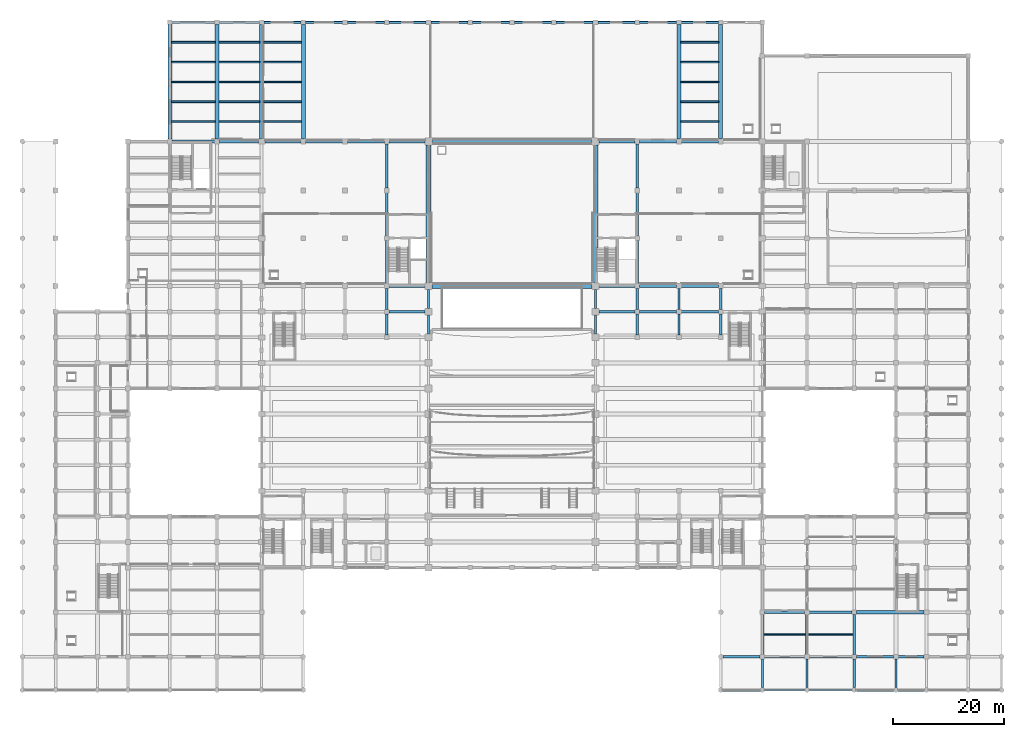
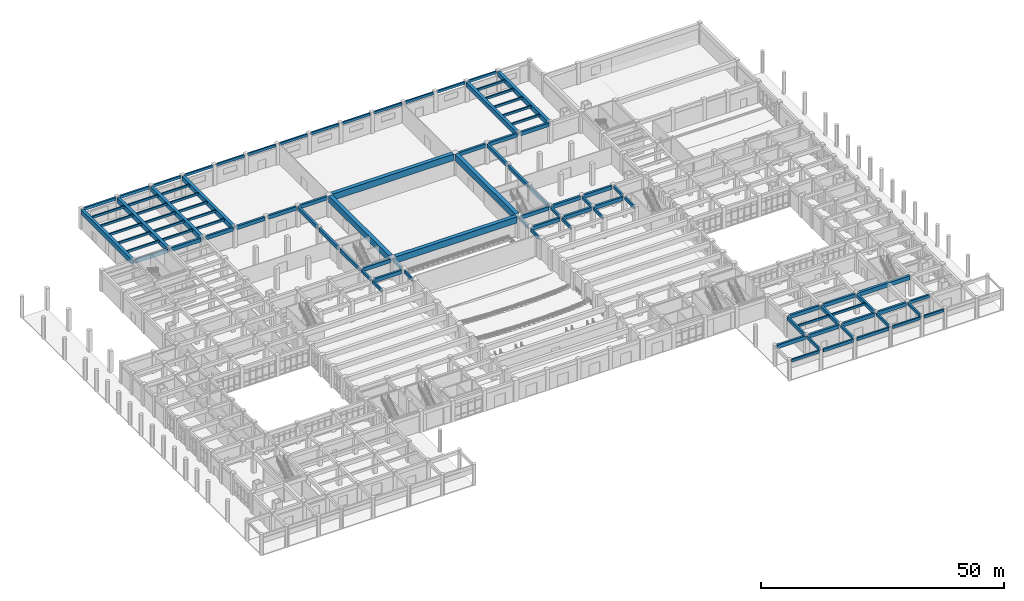
# One storey, part 30 of 84: 100 beams.
"""IFC4 building model written with IfcOpenShell, lengths in metres."""

from ifc_helpers import new_model, si_unit, direction, frame, origin, origin_2d, place, context, subcontext, project, spatial, rectangle, extrude, material, material_profile, profile_set, type_object, element, save


model = new_model("IFC4")

# Units and contexts
model_context = context("Model", 3, precision=1e-05, world=origin(), true_north=direction((0.0, 1.0)))
body_context = subcontext(model_context, "Body", "Model", "MODEL_VIEW")
ifc_project = project(units=[si_unit("LENGTHUNIT", "METRE"), si_unit("AREAUNIT", "SQUARE_METRE"), si_unit("VOLUMEUNIT", "CUBIC_METRE"), si_unit("PLANEANGLEUNIT", "RADIAN"), si_unit("MASSUNIT", "GRAM", prefix="KILO")], contexts=[model_context])

# Site, building, storey
site_placement = place(None, origin())
site = spatial("IfcSite", under=ifc_project, at=site_placement, CompositionType="ELEMENT")
building_placement = place(site_placement, origin())
building = spatial("IfcBuilding", under=site, at=building_placement, Name="Muzn Square Opera House", CompositionType="ELEMENT")
storey_placement = place(building_placement, origin())
storey = spatial("IfcBuildingStorey", under=building, at=storey_placement, Name="L00", CompositionType="ELEMENT", Elevation=0.0)

# Beams
ifc_material_1 = material(Name="Concrete C40/50", Category="concrete")
ifc_material_profile_1 = material_profile(ifc_material_1, rectangle(XDim=0.300048828125, YDim=0.550048828125, at=origin_2d()), Name="RCJ 300x550", Category="concrete")
ifc_profile_set_1 = profile_set([ifc_material_profile_1], Name="Concrete C40/50")
beam_type_1 = type_object("IfcBeamType", Name="Floor Joist 300x550", PredefinedType="JOIST", material=ifc_profile_set_1)
for number, where, z_axis, x_axis, name in (
    (1, (26.842041015625, 102.166748046875, 4.844970703125), (1.0, 0.0, 0.0), (0.0, 1.0, 0.0), "Floor Joist BM-L00-BM-J550-268_1022_347_1022-1197"),
    (2, (26.842041015625, 105.7333984375, 4.844970703125), (1.0, 0.0, 0.0), (0.0, 1.0, 0.0), "Floor Joist BM-L00-BM-J550-268_1057_347_1057-1198"),
    (3, (26.842041015625, 109.300048828125, 4.844970703125), (1.0, 0.0, 0.0), (0.0, 1.0, 0.0), "Floor Joist BM-L00-BM-J550-268_1093_347_1093-1199"),
    (4, (26.842041015625, 112.86669921875, 4.844970703125), (1.0, 0.0, 0.0), (0.0, 1.0, 0.0), "Floor Joist BM-L00-BM-J550-268_1129_347_1129-1200"),
    (5, (26.842041015625, 116.433349609375, 4.844970703125), (1.0, 0.0, 0.0), (0.0, 1.0, 0.0), "Floor Joist BM-L00-BM-J550-268_1164_347_1164-1201"),
):
    element("IfcBeam", number, at=place(storey_placement, frame(where, z_axis=z_axis, x_axis=x_axis)), inside=storey, type_object=beam_type_1, Name=name, PredefinedType="JOIST", context=body_context, shape_type="SweptSolid", body=[
        extrude(rectangle(XDim=0.300048828125, YDim=0.550048828125, at=origin_2d()), origin(), (0.0, 0.0, 1.0), 7.81591796875),
    ])
for number, where, z_axis, x_axis, name in (
    (6, (35.342041015625, 102.166748046875, 4.844970703125), (1.0, 0.0, 0.0), (0.0, 1.0, 0.0), "Floor Joist BM-L00-BM-J550-353_1022_427_1022-1210"),
    (7, (35.342041015625, 105.7333984375, 4.844970703125), (1.0, 0.0, 0.0), (0.0, 1.0, 0.0), "Floor Joist BM-L00-BM-J550-353_1057_427_1057-1211"),
    (8, (35.342041015625, 109.300048828125, 4.844970703125), (1.0, 0.0, 0.0), (0.0, 1.0, 0.0), "Floor Joist BM-L00-BM-J550-353_1093_427_1093-1212"),
    (9, (35.342041015625, 112.86669921875, 4.844970703125), (1.0, 0.0, 0.0), (0.0, 1.0, 0.0), "Floor Joist BM-L00-BM-J550-353_1129_427_1129-1213"),
    (10, (35.342041015625, 116.433349609375, 4.844970703125), (1.0, 0.0, 0.0), (0.0, 1.0, 0.0), "Floor Joist BM-L00-BM-J550-353_1164_427_1164-1214"),
):
    element("IfcBeam", number, at=place(storey_placement, frame(where, z_axis=z_axis, x_axis=x_axis)), inside=storey, type_object=beam_type_1, Name=name, PredefinedType="JOIST", context=body_context, shape_type="SweptSolid", body=[
        extrude(rectangle(XDim=0.300048828125, YDim=0.550048828125, at=origin_2d()), origin(), (0.0, 0.0, 1.0), 7.31591796875),
    ])
for number, where, z_axis, x_axis, name in (
    (11, (43.342041015625, 102.166748046875, 4.844970703125), (1.0, 0.0, 0.0), (0.0, 1.0, 0.0), "Floor Joist BM-L00-BM-J550-433_1022_502_1022-1215"),
    (12, (43.342041015625, 105.7333984375, 4.844970703125), (1.0, 0.0, 0.0), (0.0, 1.0, 0.0), "Floor Joist BM-L00-BM-J550-433_1057_502_1057-1216"),
    (13, (43.342041015625, 109.300048828125, 4.844970703125), (1.0, 0.0, 0.0), (0.0, 1.0, 0.0), "Floor Joist BM-L00-BM-J550-433_1093_502_1093-1217"),
    (14, (43.342041015625, 112.86669921875, 4.844970703125), (1.0, 0.0, 0.0), (0.0, 1.0, 0.0), "Floor Joist BM-L00-BM-J550-433_1129_502_1129-1218"),
    (15, (43.342041015625, 116.433349609375, 4.844970703125), (1.0, 0.0, 0.0), (0.0, 1.0, 0.0), "Floor Joist BM-L00-BM-J550-433_1164_502_1164-1219"),
    (16, (118.342041015625, 102.166748046875, 4.844970703125), (1.0, 0.0, 0.0), (0.0, 1.0, 0.0), "Floor Joist BM-L00-BM-J550-1183_1022_1252_1022-1220"),
    (17, (118.342041015625, 105.7333984375, 4.844970703125), (1.0, 0.0, 0.0), (0.0, 1.0, 0.0), "Floor Joist BM-L00-BM-J550-1183_1057_1252_1057-1221"),
    (18, (118.342041015625, 109.300048828125, 4.844970703125), (1.0, 0.0, 0.0), (0.0, 1.0, 0.0), "Floor Joist BM-L00-BM-J550-1183_1093_1252_1093-1222"),
    (19, (118.342041015625, 112.86669921875, 4.844970703125), (1.0, 0.0, 0.0), (0.0, 1.0, 0.0), "Floor Joist BM-L00-BM-J550-1183_1129_1252_1129-1223"),
    (20, (118.342041015625, 116.433349609375, 4.844970703125), (1.0, 0.0, 0.0), (0.0, 1.0, 0.0), "Floor Joist BM-L00-BM-J550-1183_1164_1252_1164-1224"),
):
    element("IfcBeam", number, at=place(storey_placement, frame(where, z_axis=z_axis, x_axis=x_axis)), inside=storey, type_object=beam_type_1, Name=name, PredefinedType="JOIST", context=body_context, shape_type="SweptSolid", body=[
        extrude(rectangle(XDim=0.300048828125, YDim=0.550048828125, at=origin_2d()), origin(), (0.0, 0.0, 1.0), 6.81591796875),
    ])
beam_1_placement = place(storey_placement, frame((133.241943359375, 10.0, 4.844970703125), z_axis=(1.0, 0.0, 0.0), x_axis=(0.0, 1.0, 0.0)))
element("IfcBeam", 21, at=beam_1_placement, inside=storey, type_object=beam_type_1, Name="Floor Joist BM-L00-BM-J550-1332_100_1408_100-1225", PredefinedType="JOIST", context=body_context, shape_type="SweptSolid", body=[
    extrude(rectangle(XDim=0.300048828125, YDim=0.550048828125, at=origin_2d()), origin(), (0.0, 0.0, 1.0), 7.51611328125),
])
beam_2_placement = place(storey_placement, frame((141.241943359375, 10.0, 4.844970703125), z_axis=(1.0, 0.0, 0.0), x_axis=(0.0, 1.0, 0.0)))
element("IfcBeam", 22, at=beam_2_placement, inside=storey, type_object=beam_type_1, Name="Floor Joist BM-L00-BM-J550-1412_100_1493_100-1231", PredefinedType="JOIST", context=body_context, shape_type="SweptSolid", body=[
    extrude(rectangle(XDim=0.300048828125, YDim=0.550048828125, at=origin_2d()), origin(), (0.0, 0.0, 1.0), 8.01611328125),
])
ifc_material_profile_2 = material_profile(ifc_material_1, rectangle(XDim=0.39990234375, YDim=0.699951171875, at=origin_2d()), Name="RCB 400x700", Category="concrete")
ifc_profile_set_2 = profile_set([ifc_material_profile_2], Name="Concrete C40/50")
beam_type_2 = type_object("IfcBeamType", Name="Primary Girder 400x700", PredefinedType="BEAM", material=ifc_profile_set_2)
beam_3_placement = place(storey_placement, frame((157.4169921875, 6.0, 4.77001953125), z_axis=(1.0, 0.0, 0.0), x_axis=(0.0, 1.0, 0.0)))
element("IfcBeam", 23, at=beam_3_placement, inside=storey, type_object=beam_type_2, Name="Primary Girder BM-L00-BM-PG700-1574_60_1621_60-745", PredefinedType="BEAM", context=body_context, shape_type="SweptSolid", body=[
    extrude(rectangle(XDim=0.39990234375, YDim=0.699951171875, at=origin_2d()), origin(), (0.0, 0.0, 1.0), 4.666015625),
])
for number, where, z_axis, x_axis, name in (
    (24, (65.5, 63.81689453125, 4.77001953125), (0.0, 1.0, 0.0), (-1.0, 0.0, 0.0), "Primary Girder BM-L00-BM-PG700-655_638_655_676-1053"),
    (25, (65.5, 68.4169921875, 4.77001953125), (0.0, 1.0, 0.0), (-1.0, 0.0, 0.0), "Primary Girder BM-L00-BM-PG700-655_684_655_722-1054"),
):
    element("IfcBeam", number, at=place(storey_placement, frame(where, z_axis=z_axis, x_axis=x_axis)), inside=storey, type_object=beam_type_2, Name=name, PredefinedType="BEAM", context=body_context, shape_type="SweptSolid", body=[
        extrude(rectangle(XDim=0.39990234375, YDim=0.699951171875, at=origin_2d()), origin(), (0.0, 0.0, 1.0), 3.76611328125),
    ])
for number, where, z_axis, x_axis, name in (
    (26, (73.0, 63.991943359375, 4.77001953125), (0.0, 1.0, 0.0), (-1.0, 0.0, 0.0), "Primary Girder BM-L00-BM-PG700-730_640_730_674-1067"),
    (27, (73.0, 68.592041015625, 4.77001953125), (0.0, 1.0, 0.0), (-1.0, 0.0, 0.0), "Primary Girder BM-L00-BM-PG700-730_686_730_720-1068"),
    (28, (103.0, 63.991943359375, 4.77001953125), (0.0, 1.0, 0.0), (-1.0, 0.0, 0.0), "Primary Girder BM-L00-BM-PG700-1030_640_1030_674-1078"),
    (29, (103.0, 68.592041015625, 4.77001953125), (0.0, 1.0, 0.0), (-1.0, 0.0, 0.0), "Primary Girder BM-L00-BM-PG700-1030_686_1030_720-1079"),
):
    element("IfcBeam", number, at=place(storey_placement, frame(where, z_axis=z_axis, x_axis=x_axis)), inside=storey, type_object=beam_type_2, Name=name, PredefinedType="BEAM", context=body_context, shape_type="SweptSolid", body=[
        extrude(rectangle(XDim=0.39990234375, YDim=0.699951171875, at=origin_2d()), origin(), (0.0, 0.0, 1.0), 3.416015625),
    ])
for number, where, z_axis, x_axis, name in (
    (30, (110.5, 63.81689453125, 4.77001953125), (0.0, 1.0, 0.0), (-1.0, 0.0, 0.0), "Primary Girder BM-L00-BM-PG700-1105_638_1105_676-1083"),
    (31, (110.5, 68.4169921875, 4.77001953125), (0.0, 1.0, 0.0), (-1.0, 0.0, 0.0), "Primary Girder BM-L00-BM-PG700-1105_684_1105_722-1084"),
    (32, (118.0, 63.81689453125, 4.77001953125), (0.0, 1.0, 0.0), (-1.0, 0.0, 0.0), "Primary Girder BM-L00-BM-PG700-1180_638_1180_676-1091"),
    (33, (118.0, 68.4169921875, 4.77001953125), (0.0, 1.0, 0.0), (-1.0, 0.0, 0.0), "Primary Girder BM-L00-BM-PG700-1180_684_1180_722-1092"),
    (34, (125.5, 63.81689453125, 4.77001953125), (0.0, 1.0, 0.0), (-1.0, 0.0, 0.0), "Primary Girder BM-L00-BM-PG700-1255_638_1255_676-1098"),
    (35, (125.5, 68.4169921875, 4.77001953125), (0.0, 1.0, 0.0), (-1.0, 0.0, 0.0), "Primary Girder BM-L00-BM-PG700-1255_684_1255_722-1099"),
):
    element("IfcBeam", number, at=place(storey_placement, frame(where, z_axis=z_axis, x_axis=x_axis)), inside=storey, type_object=beam_type_2, Name=name, PredefinedType="BEAM", context=body_context, shape_type="SweptSolid", body=[
        extrude(rectangle(XDim=0.39990234375, YDim=0.699951171875, at=origin_2d()), origin(), (0.0, 0.0, 1.0), 3.76611328125),
    ])
for number, where, z_axis, x_axis, name in (
    (36, (133.0, 0.4169921875, 4.7900390625), (0.0, 1.0, 0.0), (-1.0, 0.0, 0.0), "Primary Girder BM-L00-BM-PG700-1330_4_1330_56-1101"),
    (37, (141.0, 0.4169921875, 4.7900390625), (0.0, 1.0, 0.0), (-1.0, 0.0, 0.0), "Primary Girder BM-L00-BM-PG700-1410_4_1410_56-1118"),
    (38, (149.5, 0.4169921875, 4.7900390625), (0.0, 1.0, 0.0), (-1.0, 0.0, 0.0), "Primary Girder BM-L00-BM-PG700-1495_4_1495_56-1130"),
    (39, (157.0, 0.4169921875, 4.7900390625), (0.0, 1.0, 0.0), (-1.0, 0.0, 0.0), "Primary Girder BM-L00-BM-PG700-1570_4_1570_56-1139"),
):
    element("IfcBeam", number, at=place(storey_placement, frame(where, z_axis=z_axis, x_axis=x_axis)), inside=storey, type_object=beam_type_2, Name=name, PredefinedType="BEAM", context=body_context, shape_type="SweptSolid", body=[
        extrude(rectangle(XDim=0.39990234375, YDim=0.699951171875, at=origin_2d()), origin(), (0.0, 0.0, 1.0), 5.166015625),
    ])
ifc_material_profile_3 = material_profile(ifc_material_1, rectangle(XDim=0.5, YDim=0.89990234375, at=origin_2d()), Name="RCB 500x900", Category="concrete")
ifc_profile_set_3 = profile_set([ifc_material_profile_3], Name="Concrete C40/50")
beam_type_3 = type_object("IfcBeamType", Name="Primary Girder 500x900", PredefinedType="BEAM", material=ifc_profile_set_3)
beam_4_placement = place(storey_placement, frame((125.9169921875, 6.0, 4.669921875), z_axis=(1.0, 0.0, 0.0), x_axis=(0.0, 1.0, 0.0)))
element("IfcBeam", 40, at=beam_4_placement, inside=storey, type_object=beam_type_3, Name="Primary Girder BM-L00-BM-PG900-1259_60_1326_60-741", PredefinedType="BEAM", context=body_context, shape_type="SweptSolid", body=[
    extrude(rectangle(XDim=0.5, YDim=0.89990234375, at=origin_2d()), origin(), (0.0, 0.0, 1.0), 6.666015625),
])
beam_5_placement = place(storey_placement, frame((133.4169921875, 6.0, 4.669921875), z_axis=(1.0, 0.0, 0.0), x_axis=(0.0, 1.0, 0.0)))
element("IfcBeam", 41, at=beam_5_placement, inside=storey, type_object=beam_type_3, Name="Primary Girder BM-L00-BM-PG900-1334_60_1406_60-742", PredefinedType="BEAM", context=body_context, shape_type="SweptSolid", body=[
    extrude(rectangle(XDim=0.5, YDim=0.89990234375, at=origin_2d()), origin(), (0.0, 0.0, 1.0), 7.166015625),
])
beam_6_placement = place(storey_placement, frame((141.4169921875, 6.0, 4.669921875), z_axis=(1.0, 0.0, 0.0), x_axis=(0.0, 1.0, 0.0)))
element("IfcBeam", 42, at=beam_6_placement, inside=storey, type_object=beam_type_3, Name="Primary Girder BM-L00-BM-PG900-1414_60_1491_60-743", PredefinedType="BEAM", context=body_context, shape_type="SweptSolid", body=[
    extrude(rectangle(XDim=0.5, YDim=0.89990234375, at=origin_2d()), origin(), (0.0, 0.0, 1.0), 7.666015625),
])
beam_7_placement = place(storey_placement, frame((149.9169921875, 6.0, 4.669921875), z_axis=(1.0, 0.0, 0.0), x_axis=(0.0, 1.0, 0.0)))
element("IfcBeam", 43, at=beam_7_placement, inside=storey, type_object=beam_type_3, Name="Primary Girder BM-L00-BM-PG900-1499_60_1566_60-744", PredefinedType="BEAM", context=body_context, shape_type="SweptSolid", body=[
    extrude(rectangle(XDim=0.5, YDim=0.89990234375, at=origin_2d()), origin(), (0.0, 0.0, 1.0), 6.666015625),
])
beam_8_placement = place(storey_placement, frame((133.4169921875, 14.0, 4.669921875), z_axis=(1.0, 0.0, 0.0), x_axis=(0.0, 1.0, 0.0)))
element("IfcBeam", 44, at=beam_8_placement, inside=storey, type_object=beam_type_3, Name="Primary Girder BM-L00-BM-PG900-1334_140_1406_140-752", PredefinedType="BEAM", context=body_context, shape_type="SweptSolid", body=[
    extrude(rectangle(XDim=0.5, YDim=0.89990234375, at=origin_2d()), origin(), (0.0, 0.0, 1.0), 7.166015625),
])
beam_9_placement = place(storey_placement, frame((141.4169921875, 14.0, 4.669921875), z_axis=(1.0, 0.0, 0.0), x_axis=(0.0, 1.0, 0.0)))
element("IfcBeam", 45, at=beam_9_placement, inside=storey, type_object=beam_type_3, Name="Primary Girder BM-L00-BM-PG900-1414_140_1491_140-753", PredefinedType="BEAM", context=body_context, shape_type="SweptSolid", body=[
    extrude(rectangle(XDim=0.5, YDim=0.89990234375, at=origin_2d()), origin(), (0.0, 0.0, 1.0), 7.666015625),
])
for number, where, z_axis, x_axis, name in (
    (46, (65.9169921875, 68.0, 4.669921875), (1.0, 0.0, 0.0), (0.0, 1.0, 0.0), "Primary Girder BM-L00-BM-PG900-659_680_724_680-887"),
    (47, (103.592041015625, 68.0, 4.669921875), (1.0, 0.0, 0.0), (0.0, 1.0, 0.0), "Primary Girder BM-L00-BM-PG900-1036_680_1101_680-888"),
):
    element("IfcBeam", number, at=place(storey_placement, frame(where, z_axis=z_axis, x_axis=x_axis)), inside=storey, type_object=beam_type_3, Name=name, PredefinedType="BEAM", context=body_context, shape_type="SweptSolid", body=[
        extrude(rectangle(XDim=0.5, YDim=0.89990234375, at=origin_2d()), origin(), (0.0, 0.0, 1.0), 6.490966796875),
    ])
for number, where, z_axis, x_axis, name in (
    (48, (110.9169921875, 68.0, 4.669921875), (1.0, 0.0, 0.0), (0.0, 1.0, 0.0), "Primary Girder BM-L00-BM-PG900-1109_680_1176_680-889"),
    (49, (118.4169921875, 68.0, 4.669921875), (1.0, 0.0, 0.0), (0.0, 1.0, 0.0), "Primary Girder BM-L00-BM-PG900-1184_680_1251_680-890"),
):
    element("IfcBeam", number, at=place(storey_placement, frame(where, z_axis=z_axis, x_axis=x_axis)), inside=storey, type_object=beam_type_3, Name=name, PredefinedType="BEAM", context=body_context, shape_type="SweptSolid", body=[
        extrude(rectangle(XDim=0.5, YDim=0.89990234375, at=origin_2d()), origin(), (0.0, 0.0, 1.0), 6.666015625),
    ])
for number, where, z_axis, x_axis, name in (
    (50, (65.9169921875, 72.60009765625, 4.669921875), (1.0, 0.0, 0.0), (0.0, 1.0, 0.0), "Primary Girder BM-L00-BM-PG900-659_726_724_726-903"),
    (51, (103.592041015625, 72.60009765625, 4.669921875), (1.0, 0.0, 0.0), (0.0, 1.0, 0.0), "Primary Girder BM-L00-BM-PG900-1036_726_1101_726-904"),
):
    element("IfcBeam", number, at=place(storey_placement, frame(where, z_axis=z_axis, x_axis=x_axis)), inside=storey, type_object=beam_type_3, Name=name, PredefinedType="BEAM", context=body_context, shape_type="SweptSolid", body=[
        extrude(rectangle(XDim=0.5, YDim=0.89990234375, at=origin_2d()), origin(), (0.0, 0.0, 1.0), 6.490966796875),
    ])
for number, where, z_axis, x_axis, name in (
    (52, (110.9169921875, 72.60009765625, 4.669921875), (1.0, 0.0, 0.0), (0.0, 1.0, 0.0), "Primary Girder BM-L00-BM-PG900-1109_726_1176_726-905"),
    (53, (118.4169921875, 72.60009765625, 4.669921875), (1.0, 0.0, 0.0), (0.0, 1.0, 0.0), "Primary Girder BM-L00-BM-PG900-1184_726_1251_726-906"),
):
    element("IfcBeam", number, at=place(storey_placement, frame(where, z_axis=z_axis, x_axis=x_axis)), inside=storey, type_object=beam_type_3, Name=name, PredefinedType="BEAM", context=body_context, shape_type="SweptSolid", body=[
        extrude(rectangle(XDim=0.5, YDim=0.89990234375, at=origin_2d()), origin(), (0.0, 0.0, 1.0), 6.666015625),
    ])
beam_10_placement = place(storey_placement, frame((26.9169921875, 98.60009765625, 4.669921875), z_axis=(1.0, 0.0, 0.0), x_axis=(0.0, 1.0, 0.0)))
element("IfcBeam", 54, at=beam_10_placement, inside=storey, type_object=beam_type_3, Name="Primary Girder BM-L00-BM-PG900-269_986_346_986-926", PredefinedType="BEAM", context=body_context, shape_type="SweptSolid", body=[
    extrude(rectangle(XDim=0.5, YDim=0.89990234375, at=origin_2d()), origin(), (0.0, 0.0, 1.0), 7.666015625),
])
beam_11_placement = place(storey_placement, frame((35.4169921875, 98.60009765625, 4.669921875), z_axis=(1.0, 0.0, 0.0), x_axis=(0.0, 1.0, 0.0)))
element("IfcBeam", 55, at=beam_11_placement, inside=storey, type_object=beam_type_3, Name="Primary Girder BM-L00-BM-PG900-354_986_424_986-927", PredefinedType="BEAM", context=body_context, shape_type="SweptSolid", body=[
    extrude(rectangle(XDim=0.5, YDim=0.89990234375, at=origin_2d()), origin(), (0.0, 0.0, 1.0), 6.990966796875),
])
beam_12_placement = place(storey_placement, frame((43.592041015625, 98.60009765625, 4.669921875), z_axis=(1.0, 0.0, 0.0), x_axis=(0.0, 1.0, 0.0)))
element("IfcBeam", 56, at=beam_12_placement, inside=storey, type_object=beam_type_3, Name="Primary Girder BM-L00-BM-PG900-436_986_501_986-928", PredefinedType="BEAM", context=body_context, shape_type="SweptSolid", body=[
    extrude(rectangle(XDim=0.5, YDim=0.89990234375, at=origin_2d()), origin(), (0.0, 0.0, 1.0), 6.490966796875),
])
for number, where, z_axis, x_axis, name in (
    (57, (50.9169921875, 98.60009765625, 4.669921875), (1.0, 0.0, 0.0), (0.0, 1.0, 0.0), "Primary Girder BM-L00-BM-PG900-509_986_576_986-929"),
    (58, (58.4169921875, 98.60009765625, 4.669921875), (1.0, 0.0, 0.0), (0.0, 1.0, 0.0), "Primary Girder BM-L00-BM-PG900-584_986_651_986-930"),
):
    element("IfcBeam", number, at=place(storey_placement, frame(where, z_axis=z_axis, x_axis=x_axis)), inside=storey, type_object=beam_type_3, Name=name, PredefinedType="BEAM", context=body_context, shape_type="SweptSolid", body=[
        extrude(rectangle(XDim=0.5, YDim=0.89990234375, at=origin_2d()), origin(), (0.0, 0.0, 1.0), 6.666015625),
    ])
for number, where, z_axis, x_axis, name in (
    (59, (65.9169921875, 98.60009765625, 4.669921875), (1.0, 0.0, 0.0), (0.0, 1.0, 0.0), "Primary Girder BM-L00-BM-PG900-659_986_724_986-931"),
    (60, (103.592041015625, 98.60009765625, 4.669921875), (1.0, 0.0, 0.0), (0.0, 1.0, 0.0), "Primary Girder BM-L00-BM-PG900-1036_986_1101_986-932"),
):
    element("IfcBeam", number, at=place(storey_placement, frame(where, z_axis=z_axis, x_axis=x_axis)), inside=storey, type_object=beam_type_3, Name=name, PredefinedType="BEAM", context=body_context, shape_type="SweptSolid", body=[
        extrude(rectangle(XDim=0.5, YDim=0.89990234375, at=origin_2d()), origin(), (0.0, 0.0, 1.0), 6.490966796875),
    ])
for number, where, z_axis, x_axis, name in (
    (61, (110.9169921875, 98.60009765625, 4.669921875), (1.0, 0.0, 0.0), (0.0, 1.0, 0.0), "Primary Girder BM-L00-BM-PG900-1109_986_1176_986-933"),
    (62, (118.4169921875, 98.60009765625, 4.669921875), (1.0, 0.0, 0.0), (0.0, 1.0, 0.0), "Primary Girder BM-L00-BM-PG900-1184_986_1251_986-934"),
):
    element("IfcBeam", number, at=place(storey_placement, frame(where, z_axis=z_axis, x_axis=x_axis)), inside=storey, type_object=beam_type_3, Name=name, PredefinedType="BEAM", context=body_context, shape_type="SweptSolid", body=[
        extrude(rectangle(XDim=0.5, YDim=0.89990234375, at=origin_2d()), origin(), (0.0, 0.0, 1.0), 6.666015625),
    ])
beam_13_placement = place(storey_placement, frame((65.5, 73.01708984375, 4.669921875), z_axis=(0.0, 1.0, 0.0), x_axis=(-1.0, 0.0, 0.0)))
element("IfcBeam", 63, at=beam_13_placement, inside=storey, type_object=beam_type_3, Name="Primary Girder BM-L00-BM-PG900-655_730_655_808-1055", PredefinedType="BEAM", context=body_context, shape_type="SweptSolid", body=[
    extrude(rectangle(XDim=0.5, YDim=0.89990234375, at=origin_2d()), origin(), (0.0, 0.0, 1.0), 7.765869140625),
])
beam_14_placement = place(storey_placement, frame((65.5, 81.616943359375, 4.669921875), z_axis=(0.0, 1.0, 0.0), x_axis=(-1.0, 0.0, 0.0)))
element("IfcBeam", 64, at=beam_14_placement, inside=storey, type_object=beam_type_3, Name="Primary Girder BM-L00-BM-PG900-655_816_655_894-1056", PredefinedType="BEAM", context=body_context, shape_type="SweptSolid", body=[
    extrude(rectangle(XDim=0.5, YDim=0.89990234375, at=origin_2d()), origin(), (0.0, 0.0, 1.0), 7.76611328125),
])
beam_15_placement = place(storey_placement, frame((65.5, 90.217041015625, 4.669921875), z_axis=(0.0, 1.0, 0.0), x_axis=(-1.0, 0.0, 0.0)))
element("IfcBeam", 65, at=beam_15_placement, inside=storey, type_object=beam_type_3, Name="Primary Girder BM-L00-BM-PG900-655_902_655_982-1057", PredefinedType="BEAM", context=body_context, shape_type="SweptSolid", body=[
    extrude(rectangle(XDim=0.5, YDim=0.89990234375, at=origin_2d()), origin(), (0.0, 0.0, 1.0), 7.966064453125),
])
beam_16_placement = place(storey_placement, frame((110.5, 73.01708984375, 4.669921875), z_axis=(0.0, 1.0, 0.0), x_axis=(-1.0, 0.0, 0.0)))
element("IfcBeam", 66, at=beam_16_placement, inside=storey, type_object=beam_type_3, Name="Primary Girder BM-L00-BM-PG900-1105_730_1105_808-1085", PredefinedType="BEAM", context=body_context, shape_type="SweptSolid", body=[
    extrude(rectangle(XDim=0.5, YDim=0.89990234375, at=origin_2d()), origin(), (0.0, 0.0, 1.0), 7.765869140625),
])
beam_17_placement = place(storey_placement, frame((110.5, 81.616943359375, 4.669921875), z_axis=(0.0, 1.0, 0.0), x_axis=(-1.0, 0.0, 0.0)))
element("IfcBeam", 67, at=beam_17_placement, inside=storey, type_object=beam_type_3, Name="Primary Girder BM-L00-BM-PG900-1105_816_1105_894-1086", PredefinedType="BEAM", context=body_context, shape_type="SweptSolid", body=[
    extrude(rectangle(XDim=0.5, YDim=0.89990234375, at=origin_2d()), origin(), (0.0, 0.0, 1.0), 7.76611328125),
])
beam_18_placement = place(storey_placement, frame((110.5, 90.217041015625, 4.669921875), z_axis=(0.0, 1.0, 0.0), x_axis=(-1.0, 0.0, 0.0)))
element("IfcBeam", 68, at=beam_18_placement, inside=storey, type_object=beam_type_3, Name="Primary Girder BM-L00-BM-PG900-1105_902_1105_982-1087", PredefinedType="BEAM", context=body_context, shape_type="SweptSolid", body=[
    extrude(rectangle(XDim=0.5, YDim=0.89990234375, at=origin_2d()), origin(), (0.0, 0.0, 1.0), 7.966064453125),
])
for number, where, z_axis, x_axis, name in (
    (69, (133.0, 6.4169921875, 4.669921875), (0.0, 1.0, 0.0), (-1.0, 0.0, 0.0), "Primary Girder BM-L00-BM-PG900-1330_64_1330_136-1102"),
    (70, (141.0, 6.4169921875, 4.669921875), (0.0, 1.0, 0.0), (-1.0, 0.0, 0.0), "Primary Girder BM-L00-BM-PG900-1410_64_1410_136-1119"),
    (71, (149.5, 6.4169921875, 4.669921875), (0.0, 1.0, 0.0), (-1.0, 0.0, 0.0), "Primary Girder BM-L00-BM-PG900-1495_64_1495_136-1131"),
):
    element("IfcBeam", number, at=place(storey_placement, frame(where, z_axis=z_axis, x_axis=x_axis)), inside=storey, type_object=beam_type_3, Name=name, PredefinedType="BEAM", context=body_context, shape_type="SweptSolid", body=[
        extrude(rectangle(XDim=0.5, YDim=0.89990234375, at=origin_2d()), origin(), (0.0, 0.0, 1.0), 7.166015625),
    ])
ifc_material_profile_4 = material_profile(ifc_material_1, rectangle(XDim=0.60009765625, YDim=1.0, at=origin_2d()), Name="RCB 600x1000", Category="concrete")
ifc_profile_set_4 = profile_set([ifc_material_profile_4], Name="Concrete C40/50")
beam_type_4 = type_object("IfcBeamType", Name="Primary Girder 600x1000", PredefinedType="BEAM", material=ifc_profile_set_4)
beam_19_placement = place(storey_placement, frame((149.9169921875, 14.0, 4.6201171875), z_axis=(1.0, 0.0, 0.0), x_axis=(0.0, 1.0, 0.0)))
element("IfcBeam", 72, at=beam_19_placement, inside=storey, type_object=beam_type_4, Name="Primary Girder BM-L00-BM-PG1000-1499_140_1621_140-754", PredefinedType="BEAM", context=body_context, shape_type="SweptSolid", body=[
    extrude(rectangle(XDim=0.60009765625, YDim=1.0, at=origin_2d()), origin(), (0.0, 0.0, 1.0), 12.166015625),
])
ifc_material_profile_5 = material_profile(ifc_material_1, rectangle(XDim=0.699951171875, YDim=1.199951171875, at=origin_2d()), Name="RCB 700x1200", Category="concrete")
ifc_profile_set_5 = profile_set([ifc_material_profile_5], Name="Concrete C40/50")
beam_type_5 = type_object("IfcBeamType", Name="Primary Girder 700x1200", PredefinedType="BEAM", material=ifc_profile_set_5)
for number, where, z_axis, x_axis, name in (
    (73, (26.5, 99.01708984375, 4.52001953125), (0.0, 1.0, 0.0), (-1.0, 0.0, 0.0), "Primary Girder BM-L00-BM-PG1200-265_990_265_1196-1006"),
    (74, (35.0, 99.01708984375, 4.52001953125), (0.0, 1.0, 0.0), (-1.0, 0.0, 0.0), "Primary Girder BM-L00-BM-PG1200-350_990_350_1196-1019"),
):
    element("IfcBeam", number, at=place(storey_placement, frame(where, z_axis=z_axis, x_axis=x_axis)), inside=storey, type_object=beam_type_5, Name=name, PredefinedType="BEAM", context=body_context, shape_type="SweptSolid", body=[
        extrude(rectangle(XDim=0.699951171875, YDim=1.199951171875, at=origin_2d()), origin(), (0.0, 0.0, 1.0), 20.56591796875),
    ])
beam_20_placement = place(storey_placement, frame((43.0, 99.0419921875, 4.52001953125), z_axis=(0.0, 1.0, 0.0), x_axis=(-1.0, 0.0, 0.0)))
element("IfcBeam", 75, at=beam_20_placement, inside=storey, type_object=beam_type_5, Name="Primary Girder BM-L00-BM-PG1200-430_990_430_1196-1037", PredefinedType="BEAM", context=body_context, shape_type="SweptSolid", body=[
    extrude(rectangle(XDim=0.699951171875, YDim=1.199951171875, at=origin_2d()), origin(), (0.0, 0.0, 1.0), 20.541015625),
])
for number, where, z_axis, x_axis, name in (
    (76, (50.5, 99.01708984375, 4.52001953125), (0.0, 1.0, 0.0), (-1.0, 0.0, 0.0), "Primary Girder BM-L00-BM-PG1200-505_990_505_1196-1044"),
    (77, (118.0, 99.01708984375, 4.52001953125), (0.0, 1.0, 0.0), (-1.0, 0.0, 0.0), "Primary Girder BM-L00-BM-PG1200-1180_990_1180_1196-1093"),
    (78, (125.5, 99.01708984375, 4.52001953125), (0.0, 1.0, 0.0), (-1.0, 0.0, 0.0), "Primary Girder BM-L00-BM-PG1200-1255_990_1255_1196-1100"),
):
    element("IfcBeam", number, at=place(storey_placement, frame(where, z_axis=z_axis, x_axis=x_axis)), inside=storey, type_object=beam_type_5, Name=name, PredefinedType="BEAM", context=body_context, shape_type="SweptSolid", body=[
        extrude(rectangle(XDim=0.699951171875, YDim=1.199951171875, at=origin_2d()), origin(), (0.0, 0.0, 1.0), 20.56591796875),
    ])
ifc_material_profile_6 = material_profile(ifc_material_1, rectangle(XDim=0.35009765625, YDim=0.64990234375, at=origin_2d()), Name="RCS 350x650", Category="concrete")
ifc_profile_set_6 = profile_set([ifc_material_profile_6], Name="Concrete C40/50")
beam_type_6 = type_object("IfcBeamType", Name="Spandrel Beam 350x650", PredefinedType="SPANDREL", material=ifc_profile_set_6)
for number, where, z_axis, x_axis, name in (
    (79, (125.9169921875, 0.0, 4.794921875), (1.0, 0.0, 0.0), (0.0, 1.0, 0.0), "Spandrel Beam BM-L00-BM-SP650-1259_0_1326_0-727"),
    (80, (149.9169921875, 0.0, 4.794921875), (1.0, 0.0, 0.0), (0.0, 1.0, 0.0), "Spandrel Beam BM-L00-BM-SP650-1499_0_1566_0-730"),
):
    element("IfcBeam", number, at=place(storey_placement, frame(where, z_axis=z_axis, x_axis=x_axis)), inside=storey, type_object=beam_type_6, Name=name, PredefinedType="SPANDREL", context=body_context, shape_type="SweptSolid", body=[
        extrude(rectangle(XDim=0.35009765625, YDim=0.64990234375, at=origin_2d()), origin(), (0.0, 0.0, 1.0), 6.666015625),
    ])
beam_21_placement = place(storey_placement, frame((157.4169921875, 0.0, 4.794921875), z_axis=(1.0, 0.0, 0.0), x_axis=(0.0, 1.0, 0.0)))
element("IfcBeam", 81, at=beam_21_placement, inside=storey, type_object=beam_type_6, Name="Spandrel Beam BM-L00-BM-SP650-1574_0_1621_0-731", PredefinedType="SPANDREL", context=body_context, shape_type="SweptSolid", body=[
    extrude(rectangle(XDim=0.35009765625, YDim=0.64990234375, at=origin_2d()), origin(), (0.0, 0.0, 1.0), 4.666015625),
])
for number, where, z_axis, x_axis, name in (
    (82, (43.4169921875, 120.0, 4.794921875), (1.0, 0.0, 0.0), (0.0, 1.0, 0.0), "Spandrel Beam BM-L00-BM-SP650-434_1200_501_1200-940"),
    (83, (50.9169921875, 120.0, 4.794921875), (1.0, 0.0, 0.0), (0.0, 1.0, 0.0), "Spandrel Beam BM-L00-BM-SP650-509_1200_576_1200-941"),
    (84, (58.4169921875, 120.0, 4.794921875), (1.0, 0.0, 0.0), (0.0, 1.0, 0.0), "Spandrel Beam BM-L00-BM-SP650-584_1200_651_1200-942"),
    (85, (65.9169921875, 120.0, 4.794921875), (1.0, 0.0, 0.0), (0.0, 1.0, 0.0), "Spandrel Beam BM-L00-BM-SP650-659_1200_726_1200-943"),
    (86, (73.4169921875, 120.0, 4.794921875), (1.0, 0.0, 0.0), (0.0, 1.0, 0.0), "Spandrel Beam BM-L00-BM-SP650-734_1200_801_1200-944"),
    (87, (80.9169921875, 120.0, 4.794921875), (1.0, 0.0, 0.0), (0.0, 1.0, 0.0), "Spandrel Beam BM-L00-BM-SP650-809_1200_876_1200-945"),
    (88, (88.4169921875, 120.0, 4.794921875), (1.0, 0.0, 0.0), (0.0, 1.0, 0.0), "Spandrel Beam BM-L00-BM-SP650-884_1200_951_1200-946"),
    (89, (95.9169921875, 120.0, 4.794921875), (1.0, 0.0, 0.0), (0.0, 1.0, 0.0), "Spandrel Beam BM-L00-BM-SP650-959_1200_1026_1200-947"),
    (90, (103.4169921875, 120.0, 4.794921875), (1.0, 0.0, 0.0), (0.0, 1.0, 0.0), "Spandrel Beam BM-L00-BM-SP650-1034_1200_1101_1200-948"),
    (91, (110.9169921875, 120.0, 4.794921875), (1.0, 0.0, 0.0), (0.0, 1.0, 0.0), "Spandrel Beam BM-L00-BM-SP650-1109_1200_1176_1200-949"),
    (92, (118.4169921875, 120.0, 4.794921875), (1.0, 0.0, 0.0), (0.0, 1.0, 0.0), "Spandrel Beam BM-L00-BM-SP650-1184_1200_1251_1200-950"),
):
    element("IfcBeam", number, at=place(storey_placement, frame(where, z_axis=z_axis, x_axis=x_axis)), inside=storey, type_object=beam_type_6, Name=name, PredefinedType="SPANDREL", context=body_context, shape_type="SweptSolid", body=[
        extrude(rectangle(XDim=0.35009765625, YDim=0.64990234375, at=origin_2d()), origin(), (0.0, 0.0, 1.0), 6.666015625),
    ])
ifc_material_profile_7 = material_profile(ifc_material_1, rectangle(XDim=0.39990234375, YDim=0.75, at=origin_2d()), Name="RCS 400x750", Category="concrete")
ifc_profile_set_7 = profile_set([ifc_material_profile_7], Name="Concrete C40/50")
beam_type_7 = type_object("IfcBeamType", Name="Spandrel Beam 400x750", PredefinedType="SPANDREL", material=ifc_profile_set_7)
beam_22_placement = place(storey_placement, frame((133.4169921875, 0.0, 4.7451171875), z_axis=(1.0, 0.0, 0.0), x_axis=(0.0, 1.0, 0.0)))
element("IfcBeam", 93, at=beam_22_placement, inside=storey, type_object=beam_type_7, Name="Spandrel Beam BM-L00-BM-SP750-1334_0_1406_0-728", PredefinedType="SPANDREL", context=body_context, shape_type="SweptSolid", body=[
    extrude(rectangle(XDim=0.39990234375, YDim=0.75, at=origin_2d()), origin(), (0.0, 0.0, 1.0), 7.166015625),
])
for number, where, z_axis, x_axis, name in (
    (94, (141.4169921875, 0.0, 4.7451171875), (1.0, 0.0, 0.0), (0.0, 1.0, 0.0), "Spandrel Beam BM-L00-BM-SP750-1414_0_1491_0-729"),
    (95, (26.9169921875, 120.0, 4.7451171875), (1.0, 0.0, 0.0), (0.0, 1.0, 0.0), "Spandrel Beam BM-L00-BM-SP750-269_1200_346_1200-938"),
):
    element("IfcBeam", number, at=place(storey_placement, frame(where, z_axis=z_axis, x_axis=x_axis)), inside=storey, type_object=beam_type_7, Name=name, PredefinedType="SPANDREL", context=body_context, shape_type="SweptSolid", body=[
        extrude(rectangle(XDim=0.39990234375, YDim=0.75, at=origin_2d()), origin(), (0.0, 0.0, 1.0), 7.666015625),
    ])
beam_23_placement = place(storey_placement, frame((35.4169921875, 120.0, 4.7451171875), z_axis=(1.0, 0.0, 0.0), x_axis=(0.0, 1.0, 0.0)))
element("IfcBeam", 96, at=beam_23_placement, inside=storey, type_object=beam_type_7, Name="Spandrel Beam BM-L00-BM-SP750-354_1200_426_1200-939", PredefinedType="SPANDREL", context=body_context, shape_type="SweptSolid", body=[
    extrude(rectangle(XDim=0.39990234375, YDim=0.75, at=origin_2d()), origin(), (0.0, 0.0, 1.0), 7.166015625),
])
ifc_material_2 = material(Name="Concrete C45/55", Category="concrete")
ifc_material_profile_8 = material_profile(ifc_material_2, rectangle(XDim=0.89990234375, YDim=1.60009765625, at=origin_2d()), Name="RCB 900x1600", Category="concrete")
ifc_profile_set_8 = profile_set([ifc_material_profile_8], Name="Concrete C45/55")
beam_type_8 = type_object("IfcBeamType", Name="Transfer Girder 900x1600", PredefinedType="BEAM", material=ifc_profile_set_8)
for number, where, z_axis, x_axis, name in (
    (97, (73.0, 73.199951171875, 4.60009765625), (0.0, 1.0, 0.0), (-1.0, 0.0, 0.0), "Stage Portal Transfer Girder FTG-L00-W"),
    (98, (103.0, 73.199951171875, 4.60009765625), (0.0, 1.0, 0.0), (-1.0, 0.0, 0.0), "Stage Portal Transfer Girder FTG-L00-E"),
):
    element("IfcBeam", number, at=place(storey_placement, frame(where, z_axis=z_axis, x_axis=x_axis)), inside=storey, type_object=beam_type_8, Name=name, PredefinedType="BEAM", context=body_context, shape_type="SweptSolid", body=[
        extrude(rectangle(XDim=0.89990234375, YDim=1.60009765625, at=origin_2d()), origin(), (0.0, 0.0, 1.0), 24.800048828125),
    ])
for number, where, z_axis, x_axis, name in (
    (99, (73.60009765625, 72.60009765625, 4.60009765625), (1.0, 0.0, 0.0), (0.0, 1.0, 0.0), "Stage Portal Transfer Girder FTG-L00-S"),
    (100, (73.60009765625, 98.60009765625, 4.60009765625), (1.0, 0.0, 0.0), (0.0, 1.0, 0.0), "Stage Portal Transfer Girder FTG-L00-N"),
):
    element("IfcBeam", number, at=place(storey_placement, frame(where, z_axis=z_axis, x_axis=x_axis)), inside=storey, type_object=beam_type_8, Name=name, PredefinedType="BEAM", context=body_context, shape_type="SweptSolid", body=[
        extrude(rectangle(XDim=0.89990234375, YDim=1.60009765625, at=origin_2d()), origin(), (0.0, 0.0, 1.0), 28.7998046875),
    ])

save(model, "model.ifc")
